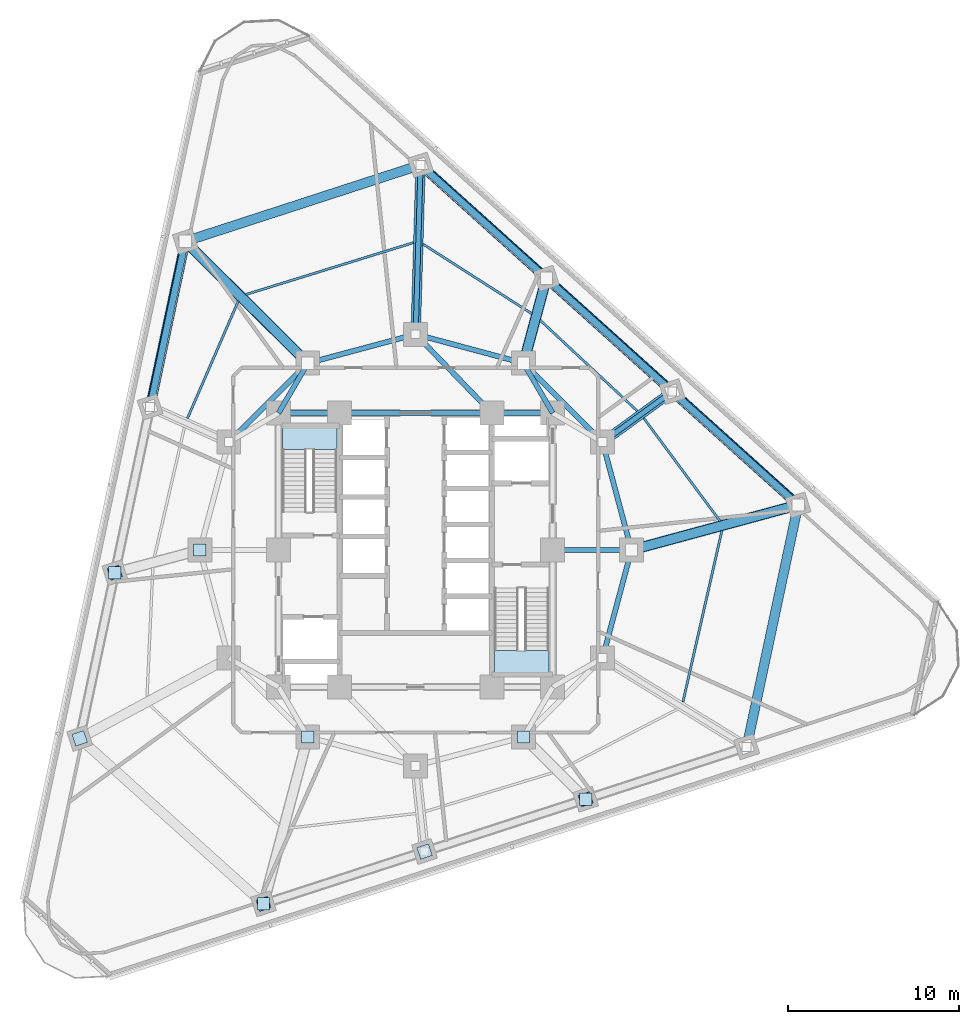
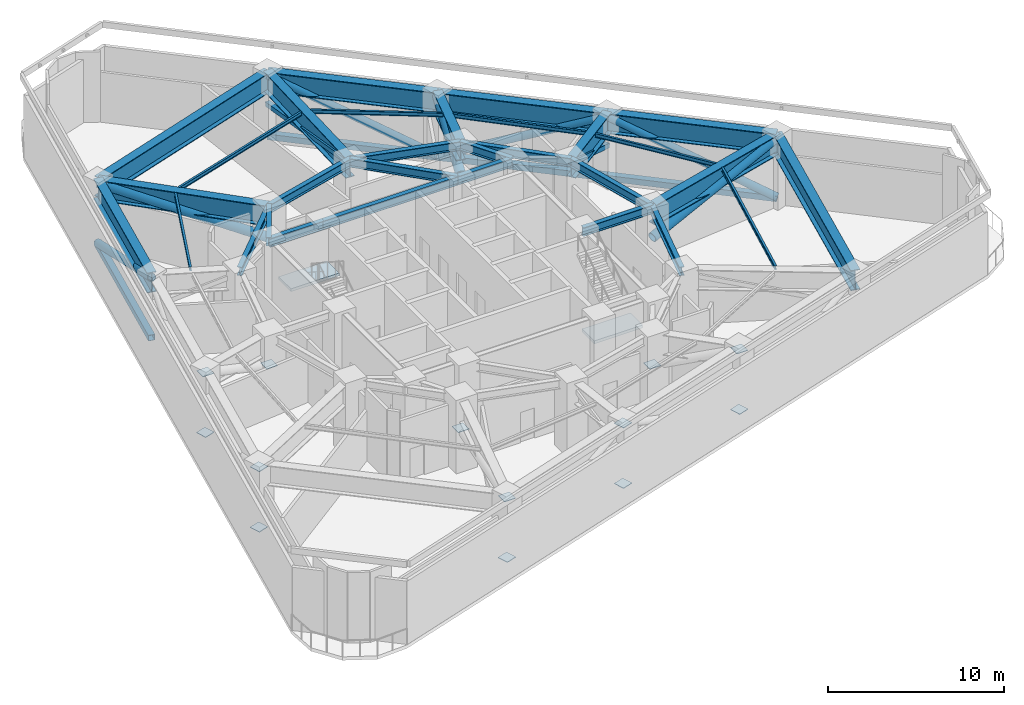
# One storey, part 2 of 10: 30 beams, 13 members, 13 plates, 2 slabs, 2 elements without a shape of their own.
"""IFC4 building model written with IfcOpenShell, lengths in metres."""

from ifc_helpers import new_model, si_unit, direction, frame, origin, origin_2d, place, context, subcontext, project, spatial, polyline, rectangle, hollow_rectangle, hollow_circle, i_section, outline, extrude, material, layer, layer_set, material_profile, profile_set, type_object, element, aggregate, save


model = new_model("IFC4")

# Units and contexts
model_context = context("Model", 3, precision=1e-05, world=origin(), true_north=direction((0.0, 1.0)))
body_context = subcontext(model_context, "Body", "Model", "MODEL_VIEW")
ifc_project = project(units=[si_unit("LENGTHUNIT", "METRE"), si_unit("AREAUNIT", "SQUARE_METRE"), si_unit("VOLUMEUNIT", "CUBIC_METRE"), si_unit("PLANEANGLEUNIT", "RADIAN"), si_unit("MASSUNIT", "GRAM", prefix="KILO")], contexts=[model_context])

# Site, building, storey
site_placement = place(None, origin())
site = spatial("IfcSite", under=ifc_project, at=site_placement, CompositionType="ELEMENT")
building_placement = place(site_placement, origin())
building = spatial("IfcBuilding", under=site, at=building_placement, Name="Terralouvre Media Tower", CompositionType="ELEMENT")
storey_placement = place(building_placement, frame((0.0, 0.0, 85.199951171875)))
storey = spatial("IfcBuildingStorey", under=building, at=storey_placement, Name="L21", CompositionType="ELEMENT", Elevation=85.199951171875)

# Members
ifc_material_1 = material(Name="Structural steel S460M", Category="steel")
ifc_material_profile_1 = material_profile(ifc_material_1, hollow_circle(Radius=0.25390625, WallThickness=0.02490234375, at=origin_2d()), Name="CHS 508x25")
ifc_profile_set_1 = profile_set([ifc_material_profile_1], Name="Structural steel S460M")
member_type_1 = type_object("IfcMemberType", Name="Belt and Outrigger Brace BR-CHS508 (CHS 508x25)", PredefinedType="BRACE", material=ifc_profile_set_1)
member_1_placement = place(storey_placement, frame((22.33203125, 2.63623046875, 0.35009765625), z_axis=(-0.684002562111, 0.615870470902, 0.390952756861), x_axis=(-0.669125684786, -0.743149256852, 0.0)))
element("IfcMember", 1, at=member_1_placement, inside=storey, type_object=member_type_1, Name="L21 Belt-Truss Diagonal Brace BT04", PredefinedType="BRACE", context=body_context, shape_type="SweptSolid", body=[
    extrude(hollow_circle(Radius=0.25390625, WallThickness=0.02490234375, at=origin_2d()), origin(), (0.0, 0.0, 1.0), 10.742919921875),
])
member_2_placement = place(storey_placement, frame((14.98388671875, 9.25244140625, 4.550048828125), z_axis=(-0.684005081903, 0.615875003311, -0.390941208146), x_axis=(-0.669127043002, -0.743148033922, 0.0)))
element("IfcMember", 2, at=member_2_placement, inside=storey, type_object=member_type_1, Name="L21 Belt-Truss Diagonal Brace BT05", PredefinedType="BRACE", context=body_context, shape_type="SweptSolid", body=[
    extrude(hollow_circle(Radius=0.25390625, WallThickness=0.02490234375, at=origin_2d()), origin(), (0.0, 0.0, 1.0), 10.7431640625),
])
for number, where, z_axis, x_axis, name in (
    (3, (7.635498046875, 15.868896484375, 0.35009765625), (-0.683992988713, 0.61588457662, 0.39094728503), (-0.669139320558, -0.743136979084, 0.0), "L21 Belt-Truss Diagonal Brace BT06"),
    (4, (-13.448974609375, 18.02197265625, 0.35009765625), (-0.19137233219, -0.900297626413, 0.39094860832), (0.97814579678, -0.207920177572, 0.0), "L21 Belt-Truss Diagonal Brace BT07"),
):
    element("IfcMember", number, at=place(storey_placement, frame(where, z_axis=z_axis, x_axis=x_axis)), inside=storey, type_object=member_type_1, Name=name, PredefinedType="BRACE", context=body_context, shape_type="SweptSolid", body=[
        extrude(hollow_circle(Radius=0.25390625, WallThickness=0.02490234375, at=origin_2d()), origin(), (0.0, 0.0, 1.0), 10.742919921875),
    ])
ifc_material_2 = material(Name="Structural steel S460M", Category="steel")
ifc_material_profile_2 = material_profile(ifc_material_2, hollow_circle(Radius=0.304931640625, WallThickness=0.030029296875, at=origin_2d()), Name="CHS 610x30")
ifc_profile_set_2 = profile_set([ifc_material_profile_2], Name="Structural steel S460M")
member_type_2 = type_object("IfcMemberType", Name="Belt and Outrigger Brace BR-CHS610 (CHS 610x30)", PredefinedType="BRACE", material=ifc_profile_set_2)
member_3_placement = place(storey_placement, frame((12.60009765625, 0.0, 2.550048828125), z_axis=(0.946767486554, 0.256464686163, 0.194569245142), x_axis=(-0.261461533707, 0.965213896705, 0.0)))
element("IfcMember", 5, at=member_3_placement, inside=storey, type_object=member_type_2, Name="L21 Outrigger Diagonal Brace OR03", PredefinedType="BRACE", context=body_context, shape_type="SweptSolid", body=[
    extrude(hollow_circle(Radius=0.304931640625, WallThickness=0.030029296875, at=origin_2d()), origin(), (0.0, 0.0, 1.0), 10.279052734375),
])
member_4_placement = place(storey_placement, frame((6.300048828125, 10.911865234375, 2.550048828125), z_axis=(0.242386309436, 0.899709620986, 0.36300340894), x_axis=(-0.96557350308, 0.260130371447, 0.0)))
element("IfcMember", 6, at=member_4_placement, inside=storey, type_object=member_type_2, Name="L21 Outrigger Diagonal Brace OR04", PredefinedType="BRACE", context=body_context, shape_type="SweptSolid", body=[
    extrude(hollow_circle(Radius=0.304931640625, WallThickness=0.030029296875, at=origin_2d()), origin(), (0.0, 0.0, 1.0), 5.509521484375),
])
member_5_placement = place(storey_placement, frame((-6.300048828125, 10.911865234375, 2.550048828125), z_axis=(-0.695478819183, 0.691702399121, 0.194568761927), x_axis=(-0.705179161998, -0.709029159826, 0.0)))
element("IfcMember", 7, at=member_5_placement, inside=storey, type_object=member_type_2, Name="L21 Outrigger Diagonal Brace OR05", PredefinedType="BRACE", context=body_context, shape_type="SweptSolid", body=[
    extrude(hollow_circle(Radius=0.304931640625, WallThickness=0.030029296875, at=origin_2d()), origin(), (0.0, 0.0, 1.0), 10.279052734375),
])

# Beams
ifc_material_3 = material(Name="Structural steel S355J2", Category="steel")
ifc_material_profile_3 = material_profile(ifc_material_3, i_section(OverallWidth=0.135009765625, OverallDepth=0.27001953125, WebThickness=0.006591796875, FlangeThickness=0.01025390625, at=origin_2d()), Name="IPE 270")
ifc_profile_set_3 = profile_set([ifc_material_profile_3], Name="Structural steel S355J2")
beam_type_1 = type_object("IfcBeamType", Name="Composite Floor Joist J-IPE270 (IPE 270)", PredefinedType="JOIST", material=ifc_profile_set_3)
beam_1_placement = place(storey_placement, frame((15.6064453125, -8.86865234375, 4.76513671875), z_axis=(0.221716686251, 0.975111127532, 0.0), x_axis=(-0.975111127532, 0.221716686251, 0.0)))
element("IfcBeam", 8, at=beam_1_placement, inside=storey, type_object=beam_type_1, Name="L21 Framing Beam JT-L21-06", PredefinedType="JOIST", context=body_context, shape_type="SweptSolid", body=[
    extrude(i_section(OverallWidth=0.135009765625, OverallDepth=0.27001953125, WebThickness=0.006591796875, FlangeThickness=0.01025390625, at=origin_2d()), origin(), (0.0, 0.0, 1.0), 10.26708984375),
])
beam_2_placement = place(storey_placement, frame((17.774658203125, 1.68994140625, 4.76513671875), z_axis=(-0.595669069927, 0.803229954081, 0.0), x_axis=(-0.803229954081, -0.595669069927, 0.0)))
element("IfcBeam", 9, at=beam_2_placement, inside=storey, type_object=beam_type_1, Name="L21 Framing Beam JT-L21-07", PredefinedType="JOIST", context=body_context, shape_type="SweptSolid", body=[
    extrude(i_section(OverallWidth=0.135009765625, OverallDepth=0.27001953125, WebThickness=0.006591796875, FlangeThickness=0.01025390625, at=origin_2d()), origin(), (0.0, 0.0, 1.0), 7.483154296875),
])
beam_3_placement = place(storey_placement, frame((12.944580078125, 8.1171875, 4.76513671875), z_axis=(-0.730742873433, 0.682652805551, 0.0), x_axis=(-0.682652805551, -0.730742873433, 0.0)))
element("IfcBeam", 10, at=beam_3_placement, inside=storey, type_object=beam_type_1, Name="L21 Framing Beam JT-L21-08", PredefinedType="JOIST", context=body_context, shape_type="SweptSolid", body=[
    extrude(i_section(OverallWidth=0.135009765625, OverallDepth=0.27001953125, WebThickness=0.006591796875, FlangeThickness=0.01025390625, at=origin_2d()), origin(), (0.0, 0.0, 1.0), 7.7724609375),
])
beam_4_placement = place(storey_placement, frame((6.788818359375, 13.79541015625, 4.76513671875), z_axis=(-0.842397693641, 0.538856312711, 0.0), x_axis=(-0.538856312711, -0.842397693641, 0.0)))
element("IfcBeam", 11, at=beam_4_placement, inside=storey, type_object=beam_type_1, Name="L21 Framing Beam JT-L21-09", PredefinedType="JOIST", context=body_context, shape_type="SweptSolid", body=[
    extrude(i_section(OverallWidth=0.135009765625, OverallDepth=0.27001953125, WebThickness=0.006591796875, FlangeThickness=0.01025390625, at=origin_2d()), origin(), (0.0, 0.0, 1.0), 7.546875),
])
beam_5_placement = place(storey_placement, frame((-0.122802734375, 17.949951171875, 4.76513671875), z_axis=(-0.955324904177, -0.295557655051, 0.0), x_axis=(0.295557655051, -0.955324904177, 0.0)))
element("IfcBeam", 12, at=beam_5_placement, inside=storey, type_object=beam_type_1, Name="L21 Framing Beam JT-L21-10", PredefinedType="JOIST", context=body_context, shape_type="SweptSolid", body=[
    extrude(i_section(OverallWidth=0.135009765625, OverallDepth=0.27001953125, WebThickness=0.006591796875, FlangeThickness=0.01025390625, at=origin_2d()), origin(), (0.0, 0.0, 1.0), 10.266845703125),
])
beam_6_placement = place(storey_placement, frame((-10.350830078125, 14.54833984375, 4.76513671875), z_axis=(-0.397766742843, -0.917486576626, 0.0), x_axis=(0.917486576626, -0.397766742843, 0.0)))
element("IfcBeam", 13, at=beam_6_placement, inside=storey, type_object=beam_type_1, Name="L21 Framing Beam JT-L21-11", PredefinedType="JOIST", context=body_context, shape_type="SweptSolid", body=[
    extrude(i_section(OverallWidth=0.135009765625, OverallDepth=0.27001953125, WebThickness=0.006591796875, FlangeThickness=0.01025390625, at=origin_2d()), origin(), (0.0, 0.0, 1.0), 7.483154296875),
])

# Members
ifc_material_4 = material(Name="Structural steel S355J2", Category="steel")
ifc_material_profile_4 = material_profile(ifc_material_4, hollow_rectangle(XDim=0.300048828125, YDim=0.300048828125, WallThickness=0.01611328125, at=origin_2d()), Name="SHS 300x300x16")
ifc_profile_set_4 = profile_set([ifc_material_profile_4], Name="Structural steel S355J2")
member_type_3 = type_object("IfcMemberType", Name="Portal Knee-Brace Strut ST-SHS300 (SHS 300x300x16)", PredefinedType="STRUT", material=ifc_profile_set_4)
member_6_placement = place(storey_placement, frame((10.911865234375, 6.300048828125, 4.550048828125), z_axis=(0.752300265188, 0.545450393124, -0.369497198418), x_axis=(-0.586990638022, 0.809593719636, 0.0)))
element("IfcMember", 14, at=member_6_placement, inside=storey, type_object=member_type_3, Name="L21 Refuge Outrigger Knee-Brace Strut 03", PredefinedType="STRUT", context=body_context, shape_type="SweptSolid", body=[
    extrude(hollow_rectangle(XDim=0.300048828125, YDim=0.300048828125, WallThickness=0.01611328125, at=origin_2d()), origin(), (0.0, 0.0, 1.0), 5.412841796875),
])
member_7_placement = place(storey_placement, frame((0.0, 12.60009765625, 4.550048828125), z_axis=(0.028480058925, 0.979743063603, -0.198223145889), x_axis=(-0.999577766927, 0.029056632049, 0.0)))
element("IfcMember", 15, at=member_7_placement, inside=storey, type_object=member_type_3, Name="L21 Refuge Outrigger Knee-Brace Strut 04", PredefinedType="STRUT", context=body_context, shape_type="SweptSolid", body=[
    extrude(hollow_rectangle(XDim=0.300048828125, YDim=0.300048828125, WallThickness=0.01611328125, at=origin_2d()), origin(), (0.0, 0.0, 1.0), 10.089599609375),
])

# Beams
ifc_material_5 = material(Name="Structural steel S460M", Category="steel")
ifc_material_profile_5 = material_profile(ifc_material_5, i_section(OverallWidth=0.300048828125, OverallDepth=0.60009765625, WebThickness=0.015380859375, FlangeThickness=0.030029296875, at=origin_2d()), Name="HEB 600")
ifc_profile_set_5 = profile_set([ifc_material_profile_5], Name="Structural steel S460M")
beam_type_2 = type_object("IfcBeamType", Name="Primary Floor Girder B-HEB600 (HEB 600)", PredefinedType="BEAM", material=ifc_profile_set_5)
beam_7_placement = place(storey_placement, frame((8.0, 8.0, 4.60009765625), z_axis=(-1.0, 0.0, 0.0), x_axis=(0.0, -1.0, 0.0)))
element("IfcBeam", 16, at=beam_7_placement, inside=storey, type_object=beam_type_2, Name="L21 Framing Beam BM-L21-CPR06", PredefinedType="BEAM", context=body_context, shape_type="SweptSolid", body=[
    extrude(i_section(OverallWidth=0.300048828125, OverallDepth=0.60009765625, WebThickness=0.015380859375, FlangeThickness=0.030029296875, at=origin_2d()), origin(), (0.0, 0.0, 1.0), 3.550048828125),
])
beam_8_placement = place(storey_placement, frame((4.449951171875, 8.0, 4.60009765625), z_axis=(-1.0, 0.0, 0.0), x_axis=(0.0, -1.0, 0.0)))
element("IfcBeam", 17, at=beam_8_placement, inside=storey, type_object=beam_type_2, Name="L21 Framing Beam BM-L21-CPR07", PredefinedType="BEAM", context=body_context, shape_type="SweptSolid", body=[
    extrude(i_section(OverallWidth=0.300048828125, OverallDepth=0.60009765625, WebThickness=0.015380859375, FlangeThickness=0.030029296875, at=origin_2d()), origin(), (0.0, 0.0, 1.0), 8.89990234375),
])
beam_9_placement = place(storey_placement, frame((-4.449951171875, 8.0, 4.60009765625), z_axis=(-1.0, 0.0, 0.0), x_axis=(0.0, -1.0, 0.0)))
element("IfcBeam", 18, at=beam_9_placement, inside=storey, type_object=beam_type_2, Name="L21 Framing Beam BM-L21-CPR08", PredefinedType="BEAM", context=body_context, shape_type="SweptSolid", body=[
    extrude(i_section(OverallWidth=0.300048828125, OverallDepth=0.60009765625, WebThickness=0.015380859375, FlangeThickness=0.030029296875, at=origin_2d()), origin(), (0.0, 0.0, 1.0), 3.550048828125),
])
for number, where, z_axis, x_axis, name in (
    (19, (10.911865234375, -6.300048828125, 4.60009765625), (0.258838989821, 0.965920481897, 0.0), (-0.965920481897, 0.258838989821, 0.0), "L21 Framing Beam BM-L21-MR05"),
    (20, (12.60009765625, 0.0, 4.60009765625), (-0.258838989821, 0.965920481897, 0.0), (-0.965920481897, -0.258838989821, 0.0), "L21 Framing Beam BM-L21-MR06"),
):
    element("IfcBeam", number, at=place(storey_placement, frame(where, z_axis=z_axis, x_axis=x_axis)), inside=storey, type_object=beam_type_2, Name=name, PredefinedType="BEAM", context=body_context, shape_type="SweptSolid", body=[
        extrude(i_section(OverallWidth=0.300048828125, OverallDepth=0.60009765625, WebThickness=0.015380859375, FlangeThickness=0.030029296875, at=origin_2d()), origin(), (0.0, 0.0, 1.0), 6.522216796875),
    ])
beam_10_placement = place(storey_placement, frame((10.911865234375, 6.300048828125, 4.60009765625), z_axis=(-0.707106781187, 0.707106781187, 0.0), x_axis=(-0.707106781187, -0.707106781187, 0.0)))
element("IfcBeam", 21, at=beam_10_placement, inside=storey, type_object=beam_type_2, Name="L21 Framing Beam BM-L21-MR07", PredefinedType="BEAM", context=body_context, shape_type="SweptSolid", body=[
    extrude(i_section(OverallWidth=0.300048828125, OverallDepth=0.60009765625, WebThickness=0.015380859375, FlangeThickness=0.030029296875, at=origin_2d()), origin(), (0.0, 0.0, 1.0), 6.52197265625),
])
for number, where, z_axis, x_axis, name in (
    (22, (6.300048828125, 10.911865234375, 4.60009765625), (-0.965920481897, 0.258838989821, 0.0), (-0.258838989821, -0.965920481897, 0.0), "L21 Framing Beam BM-L21-MR08"),
    (23, (0.0, 12.60009765625, 4.60009765625), (-0.965920481897, -0.258838989821, 0.0), (0.258838989821, -0.965920481897, 0.0), "L21 Framing Beam BM-L21-MR09"),
):
    element("IfcBeam", number, at=place(storey_placement, frame(where, z_axis=z_axis, x_axis=x_axis)), inside=storey, type_object=beam_type_2, Name=name, PredefinedType="BEAM", context=body_context, shape_type="SweptSolid", body=[
        extrude(i_section(OverallWidth=0.300048828125, OverallDepth=0.60009765625, WebThickness=0.015380859375, FlangeThickness=0.030029296875, at=origin_2d()), origin(), (0.0, 0.0, 1.0), 6.522216796875),
    ])
beam_11_placement = place(storey_placement, frame((-6.300048828125, 10.911865234375, 4.60009765625), z_axis=(-0.707106781187, -0.707106781187, 0.0), x_axis=(0.707106781187, -0.707106781187, 0.0)))
element("IfcBeam", 24, at=beam_11_placement, inside=storey, type_object=beam_type_2, Name="L21 Framing Beam BM-L21-MR10", PredefinedType="BEAM", context=body_context, shape_type="SweptSolid", body=[
    extrude(i_section(OverallWidth=0.300048828125, OverallDepth=0.60009765625, WebThickness=0.015380859375, FlangeThickness=0.030029296875, at=origin_2d()), origin(), (0.0, 0.0, 1.0), 6.52197265625),
])
beam_12_placement = place(storey_placement, frame((8.0, 0.0, 4.60009765625), z_axis=(1.0, 0.0, 0.0), x_axis=(0.0, 1.0, 0.0)))
element("IfcBeam", 25, at=beam_12_placement, inside=storey, type_object=beam_type_2, Name="L21 Framing Beam BM-L21-CM06", PredefinedType="BEAM", context=body_context, shape_type="SweptSolid", body=[
    extrude(i_section(OverallWidth=0.300048828125, OverallDepth=0.60009765625, WebThickness=0.015380859375, FlangeThickness=0.030029296875, at=origin_2d()), origin(), (0.0, 0.0, 1.0), 4.60009765625),
])
beam_13_placement = place(storey_placement, frame((8.0, 8.0, 4.60009765625), z_axis=(-0.504172629717, 0.863602894532, 0.0), x_axis=(-0.863602894532, -0.504172629717, 0.0)))
element("IfcBeam", 26, at=beam_13_placement, inside=storey, type_object=beam_type_2, Name="L21 Framing Beam BM-L21-CM08", PredefinedType="BEAM", context=body_context, shape_type="SweptSolid", body=[
    extrude(i_section(OverallWidth=0.300048828125, OverallDepth=0.60009765625, WebThickness=0.015380859375, FlangeThickness=0.030029296875, at=origin_2d()), origin(), (0.0, 0.0, 1.0), 3.371826171875),
])
beam_14_placement = place(storey_placement, frame((4.449951171875, 8.0, 4.60009765625), z_axis=(-0.695279715726, 0.718739255155, 0.0), x_axis=(-0.718739255155, -0.695279715726, 0.0)))
element("IfcBeam", 27, at=beam_14_placement, inside=storey, type_object=beam_type_2, Name="L21 Framing Beam BM-L21-CM09", PredefinedType="BEAM", context=body_context, shape_type="SweptSolid", body=[
    extrude(i_section(OverallWidth=0.300048828125, OverallDepth=0.60009765625, WebThickness=0.015380859375, FlangeThickness=0.030029296875, at=origin_2d()), origin(), (0.0, 0.0, 1.0), 6.400146484375),
])
beam_15_placement = place(storey_placement, frame((-8.0, 8.0, 4.60009765625), z_axis=(0.504172629717, 0.863602894532, 0.0), x_axis=(-0.863602894532, 0.504172629717, 0.0)))
element("IfcBeam", 28, at=beam_15_placement, inside=storey, type_object=beam_type_2, Name="L21 Framing Beam BM-L21-CM10", PredefinedType="BEAM", context=body_context, shape_type="SweptSolid", body=[
    extrude(i_section(OverallWidth=0.300048828125, OverallDepth=0.60009765625, WebThickness=0.015380859375, FlangeThickness=0.030029296875, at=origin_2d()), origin(), (0.0, 0.0, 1.0), 3.371826171875),
])

# Members
ifc_material_6 = material(Name="Structural steel S460M", Category="steel")
ifc_material_profile_6 = material_profile(ifc_material_6, hollow_rectangle(XDim=0.39990234375, YDim=0.39990234375, WallThickness=0.02001953125, at=origin_2d()), Name="SHS 400x400x20")
ifc_profile_set_6 = profile_set([ifc_material_profile_6], Name="Structural steel S460M")
member_type_4 = type_object("IfcMemberType", Name="Truss Chord Member CH-SHS400 (SHS 400x400x20)", PredefinedType="CHORD", material=ifc_profile_set_6)
member_8_placement = place(storey_placement, frame((22.33203125, 2.63623046875, 0.35009765625), z_axis=(-0.743149256852, 0.669125684786, 0.0), x_axis=(-0.669125684786, -0.743149256852, 0.0)))
element("IfcMember", 29, at=member_8_placement, inside=storey, type_object=member_type_4, Name="L21 Belt-Truss Bottom Chord 04", PredefinedType="CHORD", context=body_context, shape_type="SweptSolid", body=[
    extrude(hollow_rectangle(XDim=0.39990234375, YDim=0.39990234375, WallThickness=0.02001953125, at=origin_2d()), origin(), (0.0, 0.0, 1.0), 9.887939453125),
])
member_9_placement = place(storey_placement, frame((14.98388671875, 9.25244140625, 0.35009765625), z_axis=(-0.743148033922, 0.669127043002, 0.0), x_axis=(-0.669127043002, -0.743148033922, 0.0)))
element("IfcMember", 30, at=member_9_placement, inside=storey, type_object=member_type_4, Name="L21 Belt-Truss Bottom Chord 05", PredefinedType="CHORD", context=body_context, shape_type="SweptSolid", body=[
    extrude(hollow_rectangle(XDim=0.39990234375, YDim=0.39990234375, WallThickness=0.02001953125, at=origin_2d()), origin(), (0.0, 0.0, 1.0), 9.88818359375),
])
for number, where, z_axis, x_axis, name in (
    (31, (7.635498046875, 15.868896484375, 0.35009765625), (-0.743136979084, 0.669139320558, 0.0), (-0.669139320558, -0.743136979084, 0.0), "L21 Belt-Truss Bottom Chord 06"),
    (32, (-13.448974609375, 18.02197265625, 0.35009765625), (-0.207920177572, -0.97814579678, 0.0), (0.97814579678, -0.207920177572, 0.0), "L21 Belt-Truss Bottom Chord 07"),
):
    element("IfcMember", number, at=place(storey_placement, frame(where, z_axis=z_axis, x_axis=x_axis)), inside=storey, type_object=member_type_4, Name=name, PredefinedType="CHORD", context=body_context, shape_type="SweptSolid", body=[
        extrude(hollow_rectangle(XDim=0.39990234375, YDim=0.39990234375, WallThickness=0.02001953125, at=origin_2d()), origin(), (0.0, 0.0, 1.0), 9.887939453125),
    ])

# Beams
ifc_material_7 = material(Name="Structural steel S460M", Category="steel")
ifc_material_profile_7 = material_profile(ifc_material_7, i_section(OverallWidth=0.56005859375, OverallDepth=1.39990234375, WebThickness=0.031982421875, FlangeThickness=0.050048828125, at=origin_2d()), Name="TG 1400x560")
ifc_profile_set_7 = profile_set([ifc_material_profile_7], Name="Structural steel S460M")
beam_type_3 = type_object("IfcBeamType", Name="Welded Transfer Girder TG-1400 (TG 1400x560)", PredefinedType="USERDEFINED", material=ifc_profile_set_7)
beam_16_placement = place(storey_placement, frame((19.3291015625, -11.491455078125, 4.199951171875), z_axis=(0.207911520129, 0.978147637015, 0.0), x_axis=(-0.978147637015, 0.207911520129, 0.0)))
element("IfcBeam", 33, at=beam_16_placement, inside=storey, type_object=beam_type_3, Name="L21 Framing Beam BM-L21-PR06", ObjectType="TRANSFER GIRDER", PredefinedType="USERDEFINED", context=body_context, shape_type="SweptSolid", body=[
    extrude(i_section(OverallWidth=0.56005859375, OverallDepth=1.39990234375, WebThickness=0.031982421875, FlangeThickness=0.050048828125, at=origin_2d()), origin(), (0.0, 0.0, 1.0), 14.443359375),
])
beam_17_placement = place(storey_placement, frame((22.33203125, 2.63623046875, 4.199951171875), z_axis=(-0.743149256852, 0.669125684786, 0.0), x_axis=(-0.669125684786, -0.743149256852, 0.0)))
element("IfcBeam", 34, at=beam_17_placement, inside=storey, type_object=beam_type_3, Name="L21 Framing Beam BM-L21-PR07", ObjectType="TRANSFER GIRDER", PredefinedType="USERDEFINED", context=body_context, shape_type="SweptSolid", body=[
    extrude(i_section(OverallWidth=0.56005859375, OverallDepth=1.39990234375, WebThickness=0.031982421875, FlangeThickness=0.050048828125, at=origin_2d()), origin(), (0.0, 0.0, 1.0), 9.887939453125),
])
beam_18_placement = place(storey_placement, frame((14.98388671875, 9.25244140625, 4.199951171875), z_axis=(-0.743148033922, 0.669127043002, 0.0), x_axis=(-0.669127043002, -0.743148033922, 0.0)))
element("IfcBeam", 35, at=beam_18_placement, inside=storey, type_object=beam_type_3, Name="L21 Framing Beam BM-L21-PR08", ObjectType="TRANSFER GIRDER", PredefinedType="USERDEFINED", context=body_context, shape_type="SweptSolid", body=[
    extrude(i_section(OverallWidth=0.56005859375, OverallDepth=1.39990234375, WebThickness=0.031982421875, FlangeThickness=0.050048828125, at=origin_2d()), origin(), (0.0, 0.0, 1.0), 9.88818359375),
])
beam_19_placement = place(storey_placement, frame((7.635498046875, 15.868896484375, 4.199951171875), z_axis=(-0.743136979084, 0.669139320558, 0.0), x_axis=(-0.669139320558, -0.743136979084, 0.0)))
element("IfcBeam", 36, at=beam_19_placement, inside=storey, type_object=beam_type_3, Name="L21 Framing Beam BM-L21-PR09", ObjectType="TRANSFER GIRDER", PredefinedType="USERDEFINED", context=body_context, shape_type="SweptSolid", body=[
    extrude(i_section(OverallWidth=0.56005859375, OverallDepth=1.39990234375, WebThickness=0.031982421875, FlangeThickness=0.050048828125, at=origin_2d()), origin(), (0.0, 0.0, 1.0), 9.887939453125),
])
beam_20_placement = place(storey_placement, frame((0.287353515625, 22.4853515625, 4.199951171875), z_axis=(-0.951052948313, -0.309027975278, 0.0), x_axis=(0.309027975278, -0.951052948313, 0.0)))
element("IfcBeam", 37, at=beam_20_placement, inside=storey, type_object=beam_type_3, Name="L21 Framing Beam BM-L21-PR10", ObjectType="TRANSFER GIRDER", PredefinedType="USERDEFINED", context=body_context, shape_type="SweptSolid", body=[
    extrude(i_section(OverallWidth=0.56005859375, OverallDepth=1.39990234375, WebThickness=0.031982421875, FlangeThickness=0.050048828125, at=origin_2d()), origin(), (0.0, 0.0, 1.0), 14.443359375),
])
beam_21_placement = place(storey_placement, frame((-13.448974609375, 18.02197265625, 4.199951171875), z_axis=(-0.207920177572, -0.97814579678, 0.0), x_axis=(0.97814579678, -0.207920177572, 0.0)))
element("IfcBeam", 38, at=beam_21_placement, inside=storey, type_object=beam_type_3, Name="L21 Framing Beam BM-L21-PR11", ObjectType="TRANSFER GIRDER", PredefinedType="USERDEFINED", context=body_context, shape_type="SweptSolid", body=[
    extrude(i_section(OverallWidth=0.56005859375, OverallDepth=1.39990234375, WebThickness=0.031982421875, FlangeThickness=0.050048828125, at=origin_2d()), origin(), (0.0, 0.0, 1.0), 9.887939453125),
])
beam_22_placement = place(storey_placement, frame((12.60009765625, 0.0, 4.199951171875), z_axis=(0.965213896705, 0.261461533707, 0.0), x_axis=(-0.261461533707, 0.965213896705, 0.0)))
element("IfcBeam", 39, at=beam_22_placement, inside=storey, type_object=beam_type_3, Name="L21 Framing Beam BM-L21-RD07", ObjectType="TRANSFER GIRDER", PredefinedType="USERDEFINED", context=body_context, shape_type="SweptSolid", body=[
    extrude(i_section(OverallWidth=0.56005859375, OverallDepth=1.39990234375, WebThickness=0.031982421875, FlangeThickness=0.050048828125, at=origin_2d()), origin(), (0.0, 0.0, 1.0), 10.082763671875),
])
beam_23_placement = place(storey_placement, frame((10.911865234375, 6.300048828125, 4.199951171875), z_axis=(0.809593719636, 0.586990638022, 0.0), x_axis=(-0.586990638022, 0.809593719636, 0.0)))
element("IfcBeam", 40, at=beam_23_placement, inside=storey, type_object=beam_type_3, Name="L21 Framing Beam BM-L21-RD08", ObjectType="TRANSFER GIRDER", PredefinedType="USERDEFINED", context=body_context, shape_type="SweptSolid", body=[
    extrude(i_section(OverallWidth=0.56005859375, OverallDepth=1.39990234375, WebThickness=0.031982421875, FlangeThickness=0.050048828125, at=origin_2d()), origin(), (0.0, 0.0, 1.0), 5.02978515625),
])
beam_24_placement = place(storey_placement, frame((6.300048828125, 10.911865234375, 4.199951171875), z_axis=(0.260130371447, 0.96557350308, 0.0), x_axis=(-0.96557350308, 0.260130371447, 0.0)))
element("IfcBeam", 41, at=beam_24_placement, inside=storey, type_object=beam_type_3, Name="L21 Framing Beam BM-L21-RD09", ObjectType="TRANSFER GIRDER", PredefinedType="USERDEFINED", context=body_context, shape_type="SweptSolid", body=[
    extrude(i_section(OverallWidth=0.56005859375, OverallDepth=1.39990234375, WebThickness=0.031982421875, FlangeThickness=0.050048828125, at=origin_2d()), origin(), (0.0, 0.0, 1.0), 5.1337890625),
])
beam_25_placement = place(storey_placement, frame((0.0, 12.60009765625, 4.199951171875), z_axis=(0.029056632049, 0.999577766927, 0.0), x_axis=(-0.999577766927, 0.029056632049, 0.0)))
element("IfcBeam", 42, at=beam_25_placement, inside=storey, type_object=beam_type_3, Name="L21 Framing Beam BM-L21-RD10", ObjectType="TRANSFER GIRDER", PredefinedType="USERDEFINED", context=body_context, shape_type="SweptSolid", body=[
    extrude(i_section(OverallWidth=0.56005859375, OverallDepth=1.39990234375, WebThickness=0.031982421875, FlangeThickness=0.050048828125, at=origin_2d()), origin(), (0.0, 0.0, 1.0), 9.889404296875),
])
beam_26_placement = place(storey_placement, frame((-6.300048828125, 10.911865234375, 4.199951171875), z_axis=(-0.709029159826, 0.705179161998, 0.0), x_axis=(-0.705179161998, -0.709029159826, 0.0)))
element("IfcBeam", 43, at=beam_26_placement, inside=storey, type_object=beam_type_3, Name="L21 Framing Beam BM-L21-RD11", ObjectType="TRANSFER GIRDER", PredefinedType="USERDEFINED", context=body_context, shape_type="SweptSolid", body=[
    extrude(i_section(OverallWidth=0.56005859375, OverallDepth=1.39990234375, WebThickness=0.031982421875, FlangeThickness=0.050048828125, at=origin_2d()), origin(), (0.0, 0.0, 1.0), 10.082763671875),
])

# Stair, slab
ifc_material_8 = material(Name="Concrete C45/55", Category="concrete")
stair_type_1 = type_object("IfcStairType", Name="Dogleg Stair Assembly ST-01", PredefinedType="HALF_TURN_STAIR", material=ifc_material_8)
stair_1_placement = place(storey_placement, origin())
stair_1 = element("IfcStair", 44, at=stair_1_placement, inside=storey, type_object=stair_type_1, Name="L21 Core Pressurised Exit Stair ST-01", PredefinedType="HALF_TURN_STAIR")
ifc_material_9 = material(Name="Concrete C45/55", Category="concrete")
ifc_layer_1 = layer(ifc_material_9, 0.199951171875, Name="Reinforced Concrete Stair Half-Landing SL-LD1")
ifc_layer_set_1 = layer_set([ifc_layer_1], Name="Concrete C45/55")
slab_type = type_object("IfcSlabType", Name="Reinforced Concrete Stair Half-Landing SL-LD1", PredefinedType="LANDING", material=ifc_layer_set_1)
slab_1_placement = place(storey_placement, frame((0.0, 0.0, 2.35009765625)))
slab_1 = element("IfcSlab", 45, at=slab_1_placement, type_object=slab_type, Name="ST-01 landing 1", PredefinedType="LANDING", context=body_context, shape_type="SweptSolid", body=[
    extrude(outline(polyline([(-4.60009765625, 5.860107421875), (-4.60009765625, 7.260009765625), (-7.780029296875, 7.260009765625), (-7.780029296875, 5.860107421875), (-4.60009765625, 5.860107421875)])), origin(), (0.0, 0.0, 1.0), 0.199951171875),
])
aggregate(stair_1, [slab_1])

ifc_material_10 = material(Name="Concrete C45/55", Category="concrete")
stair_type_2 = type_object("IfcStairType", Name="Dogleg Stair Assembly ST-02", PredefinedType="HALF_TURN_STAIR", material=ifc_material_10)
stair_2_placement = place(storey_placement, origin())
stair_2 = element("IfcStair", 46, at=stair_2_placement, inside=storey, type_object=stair_type_2, Name="L21 Core Pressurised Exit Stair ST-02", PredefinedType="HALF_TURN_STAIR")
slab_2_placement = place(storey_placement, frame((0.0, 0.0, 2.35009765625)))
slab_2 = element("IfcSlab", 47, at=slab_2_placement, type_object=slab_type, Name="ST-02 landing 1", PredefinedType="LANDING", context=body_context, shape_type="SweptSolid", body=[
    extrude(outline(polyline([(4.60009765625, -5.860107421875), (4.60009765625, -7.260009765625), (7.780029296875, -7.260009765625), (7.780029296875, -5.860107421875), (4.60009765625, -5.860107421875)])), origin(), (0.0, 0.0, 1.0), 0.199951171875),
])
aggregate(stair_2, [slab_2])

# Plates
ifc_material_11 = material(Name="Structural steel S460M", Category="steel")
ifc_layer_2 = layer(ifc_material_11, 0.035888671875, Name="Welded Belt-Truss Gusset Node Plate ND-BT1")
ifc_layer_set_2 = layer_set([ifc_layer_2], Name="Structural steel S460M")
plate_type = type_object("IfcPlateType", Name="Welded Belt-Truss Gusset Node Plate ND-BT1", PredefinedType="SHEET", material=ifc_layer_set_2)
for number, where, z_axis, x_axis, name in (
    (48, (-8.883056640625, -20.658203125, 0.33203125), (0.0, 0.0, 1.0), (0.951056516295, 0.309016994375, 0.0), "L21 Belt-Truss Welded Node Plate ND-01"),
    (49, (0.52099609375, -17.6025390625, 0.33203125), (0.0, 0.0, 1.0), (0.951056516295, 0.309016994375, 0.0), "L21 Belt-Truss Welded Node Plate ND-02"),
    (50, (0.52099609375, -17.6025390625, 4.5322265625), (0.0, 0.0, 1.0), (0.951056516295, 0.309016994375, 0.0), "L21 Belt-Truss Welded Node Plate ND-04"),
    (51, (9.925048828125, -14.547119140625, 0.33203125), (0.0, 0.0, 1.0), (0.951056516295, 0.309016994375, 0.0), "L21 Belt-Truss Welded Node Plate ND-06"),
    (52, (-17.560791015625, -1.32177734375, 0.33203125), (0.0, 0.0, 1.0), (0.951056516295, 0.309016994375, 0.0), "L21 Belt-Truss Welded Node Plate ND-30"),
    (53, (-19.616455078125, -10.99365234375, 0.33203125), (0.0, 0.0, 1.0), (0.951056516295, 0.309016994375, 0.0), "L21 Belt-Truss Welded Node Plate ND-34"),
    (54, (-19.616455078125, -10.99365234375, 4.5322265625), (0.0, 0.0, 1.0), (0.951056516295, 0.309016994375, 0.0), "L21 Belt-Truss Welded Node Plate ND-36"),
    (55, (-6.300048828125, -10.911865234375, 2.5322265625), (0.0, 0.0, 1.0), (1.0, 0.0, 0.0), "L21 Outrigger Welded Node Plate ND-37"),
    (56, (-8.883056640625, -20.658203125, 4.5322265625), (0.0, 0.0, 1.0), (1.0, 0.0, 0.0), "L21 Outrigger Welded Node Plate ND-38"),
    (57, (6.300048828125, -10.911865234375, 2.5322265625), (0.0, 0.0, 1.0), (1.0, 0.0, 0.0), "L21 Outrigger Welded Node Plate ND-39"),
    (58, (9.925048828125, -14.547119140625, 4.5322265625), (0.0, 0.0, 1.0), (1.0, 0.0, 0.0), "L21 Outrigger Welded Node Plate ND-40"),
    (59, (-12.60009765625, 0.0, 2.5322265625), (0.0, 0.0, 1.0), (1.0, 0.0, 0.0), "L21 Outrigger Welded Node Plate ND-47"),
    (60, (-17.560791015625, -1.32177734375, 4.5322265625), (0.0, 0.0, 1.0), (1.0, 0.0, 0.0), "L21 Outrigger Welded Node Plate ND-48"),
):
    element("IfcPlate", number, at=place(storey_placement, frame(where, z_axis=z_axis, x_axis=x_axis)), inside=storey, type_object=plate_type, Name=name, PredefinedType="SHEET", context=body_context, shape_type="SweptSolid", body=[
        extrude(rectangle(XDim=0.719970703125, YDim=0.719970703125, at=origin_2d()), origin(), (0.0, 0.0, 1.0), 0.035888671875),
    ])

save(model, "model.ifc")
